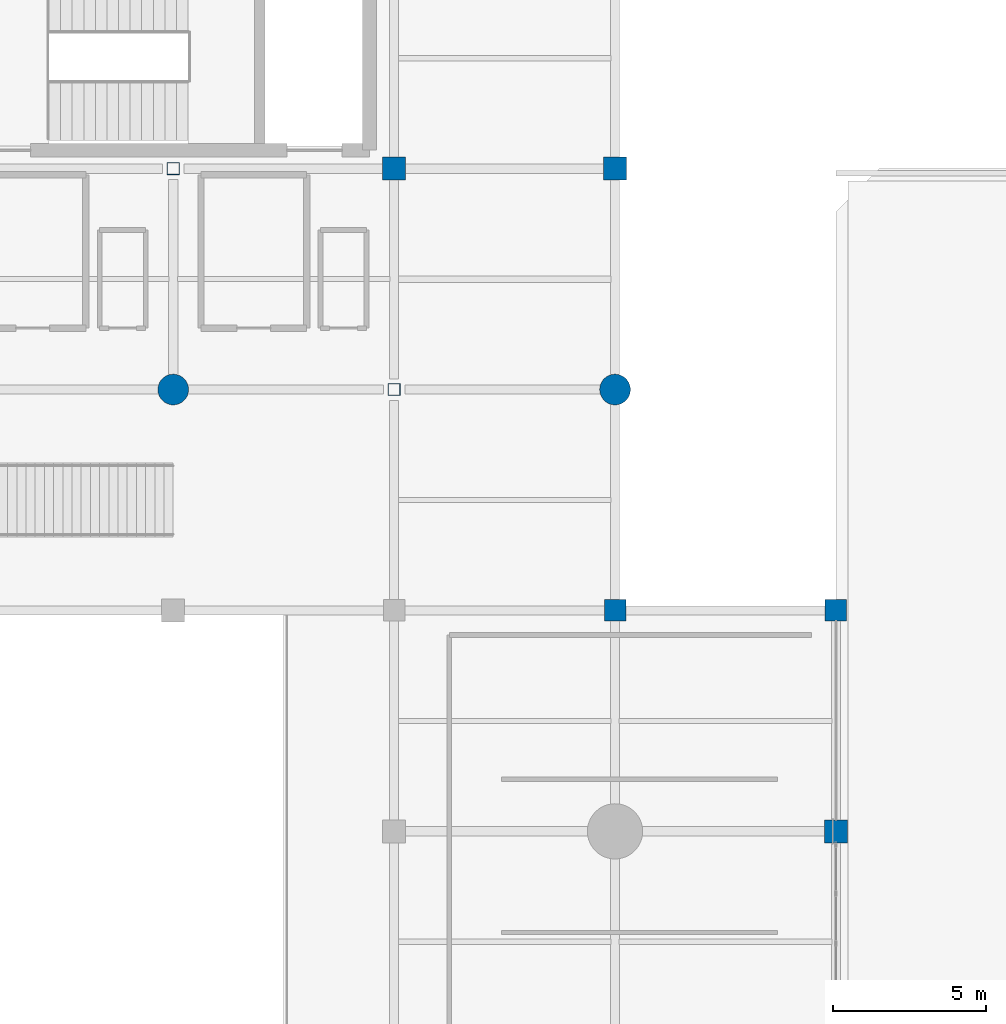
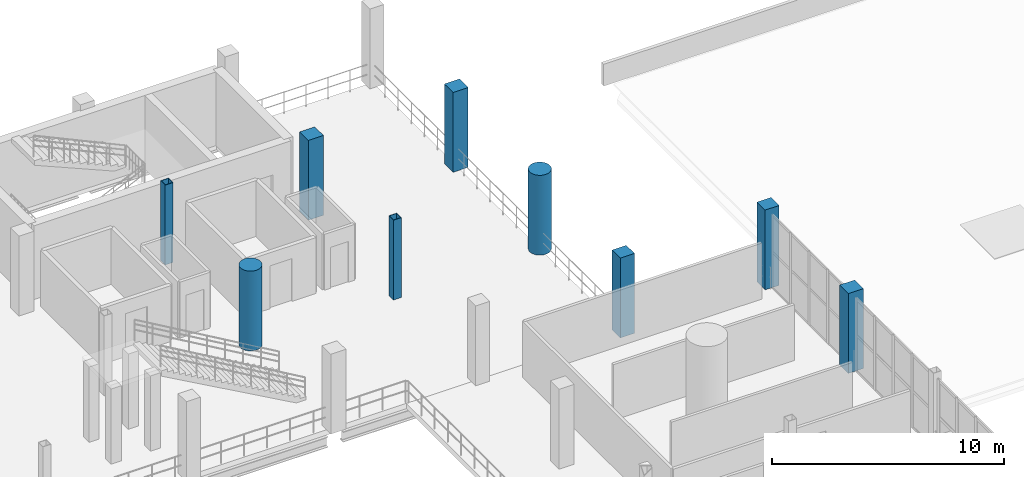
# One storey, part 14 of 130: 9 columns.
"""IFC4 building model written with IfcOpenShell, lengths in metres."""

from ifc_helpers import new_model, si_unit, direction, frame, origin, origin_2d, place, context, subcontext, project, spatial, rectangle, hollow_rectangle, circle, extrude, material, material_profile, profile_set, type_object, element, save


model = new_model("IFC4")

# Units and contexts
model_context = context("Model", 3, precision=1e-05, world=origin(), true_north=direction((0.0, 1.0)))
body_context = subcontext(model_context, "Body", "Model", "MODEL_VIEW")
ifc_project = project(units=[si_unit("LENGTHUNIT", "METRE"), si_unit("AREAUNIT", "SQUARE_METRE"), si_unit("VOLUMEUNIT", "CUBIC_METRE"), si_unit("PLANEANGLEUNIT", "RADIAN"), si_unit("MASSUNIT", "GRAM", prefix="KILO")], contexts=[model_context])

# Site, building, storey
site_placement = place(None, origin())
site = spatial("IfcSite", under=ifc_project, at=site_placement, CompositionType="ELEMENT")
building_placement = place(site_placement, origin())
building = spatial("IfcBuilding", under=site, at=building_placement, Name="Qandorah Velis Arena", CompositionType="ELEMENT")
storey_placement = place(building_placement, frame((0.0, 0.0, 9.60009765625)))
storey = spatial("IfcBuildingStorey", under=building, at=storey_placement, Name="L02", CompositionType="ELEMENT", Elevation=9.60009765625)

# Columns
ifc_material_1 = material(Name="Concrete C40/50", Category="concrete")
ifc_material_profile_1 = material_profile(ifc_material_1, rectangle(XDim=0.699951171875, YDim=0.699951171875, at=origin_2d()), Name="RC COL 700x700")
ifc_profile_set_1 = profile_set([ifc_material_profile_1], Name="Concrete C40/50")
column_type_1 = type_object("IfcColumnType", Name="STR-COL-RC700", PredefinedType="COLUMN", material=ifc_profile_set_1)
for number, where, z_axis, x_axis, name in (
    (1, (115.199951171875, 108.0, 0.0), (0.0, 0.0, 1.0), (1.0, 0.0, 0.0), "Structural column L02-181"),
    (2, (122.39990234375, 108.0, 0.0), (0.0, 0.0, 1.0), (1.0, 0.0, 0.0), "Structural column L02-193"),
):
    element("IfcColumn", number, at=place(storey_placement, frame(where, z_axis=z_axis, x_axis=x_axis)), inside=storey, type_object=column_type_1, Name=name, PredefinedType="COLUMN", context=body_context, shape_type="SweptSolid", body=[
        extrude(rectangle(XDim=0.699951171875, YDim=0.699951171875, at=origin_2d()), origin(), (0.0, 0.0, 1.0), 4.199951171875),
    ])
ifc_material_profile_2 = material_profile(ifc_material_1, rectangle(XDim=0.75, YDim=0.75, at=origin_2d()), Name="RC COL 750x750")
ifc_profile_set_2 = profile_set([ifc_material_profile_2], Name="Concrete C40/50")
column_type_2 = type_object("IfcColumnType", Name="STR-COL-RC750", PredefinedType="COLUMN", material=ifc_profile_set_2)
for number, where, z_axis, x_axis, name in (
    (3, (108.0, 122.39990234375, 0.0), (0.0, 0.0, 1.0), (1.0, 0.0, 0.0), "Structural column L02-165"),
    (4, (115.199951171875, 122.39990234375, 0.0), (0.0, 0.0, 1.0), (1.0, 0.0, 0.0), "Structural column L02-183"),
    (5, (122.39990234375, 100.800048828125, 0.0), (0.0, 0.0, 1.0), (1.0, 0.0, 0.0), "Structural column L02-192"),
):
    element("IfcColumn", number, at=place(storey_placement, frame(where, z_axis=z_axis, x_axis=x_axis)), inside=storey, type_object=column_type_2, Name=name, PredefinedType="COLUMN", context=body_context, shape_type="SweptSolid", body=[
        extrude(rectangle(XDim=0.75, YDim=0.75, at=origin_2d()), origin(), (0.0, 0.0, 1.0), 4.199951171875),
    ])
ifc_material_profile_3 = material_profile(ifc_material_1, circle(Radius=0.5, at=origin_2d()), Name="RC D1000")
ifc_profile_set_3 = profile_set([ifc_material_profile_3], Name="Concrete C40/50")
column_type_3 = type_object("IfcColumnType", Name="STR-COL-RCD1000", PredefinedType="COLUMN", material=ifc_profile_set_3)
for number, where, z_axis, x_axis, name in (
    (6, (100.800048828125, 115.199951171875, 0.0), (0.0, 0.0, 1.0), (1.0, 0.0, 0.0), "Bowl drum ring column L02-145"),
    (7, (115.199951171875, 115.199951171875, 0.0), (0.0, 0.0, 1.0), (1.0, 0.0, 0.0), "Bowl drum ring column L02-182"),
):
    element("IfcColumn", number, at=place(storey_placement, frame(where, z_axis=z_axis, x_axis=x_axis)), inside=storey, type_object=column_type_3, Name=name, PredefinedType="COLUMN", context=body_context, shape_type="SweptSolid", body=[
        extrude(circle(Radius=0.5, at=origin_2d()), origin(), (0.0, 0.0, 1.0), 4.199951171875),
    ])
ifc_material_2 = material(Name="Steel S355", Category="steel")
ifc_material_profile_4 = material_profile(ifc_material_2, hollow_rectangle(XDim=0.39990234375, YDim=0.39990234375, WallThickness=0.02001953125, at=origin_2d()), Name="SHS 400x400x20")
ifc_profile_set_4 = profile_set([ifc_material_profile_4], Name="Steel S355")
column_type_4 = type_object("IfcColumnType", Name="STR-COL-SHS400", PredefinedType="COLUMN", material=ifc_profile_set_4)
for number, where, z_axis, x_axis, name in (
    (8, (100.800048828125, 122.39990234375, 0.0), (0.0, 0.0, 1.0), (1.0, 0.0, 0.0), "Structural column L02-146"),
    (9, (108.0, 115.199951171875, 0.0), (0.0, 0.0, 1.0), (1.0, 0.0, 0.0), "Structural column L02-164"),
):
    element("IfcColumn", number, at=place(storey_placement, frame(where, z_axis=z_axis, x_axis=x_axis)), inside=storey, type_object=column_type_4, Name=name, PredefinedType="COLUMN", context=body_context, shape_type="SweptSolid", body=[
        extrude(hollow_rectangle(XDim=0.39990234375, YDim=0.39990234375, WallThickness=0.02001953125, at=origin_2d()), origin(), (0.0, 0.0, 1.0), 4.199951171875),
    ])

save(model, "model.ifc")
